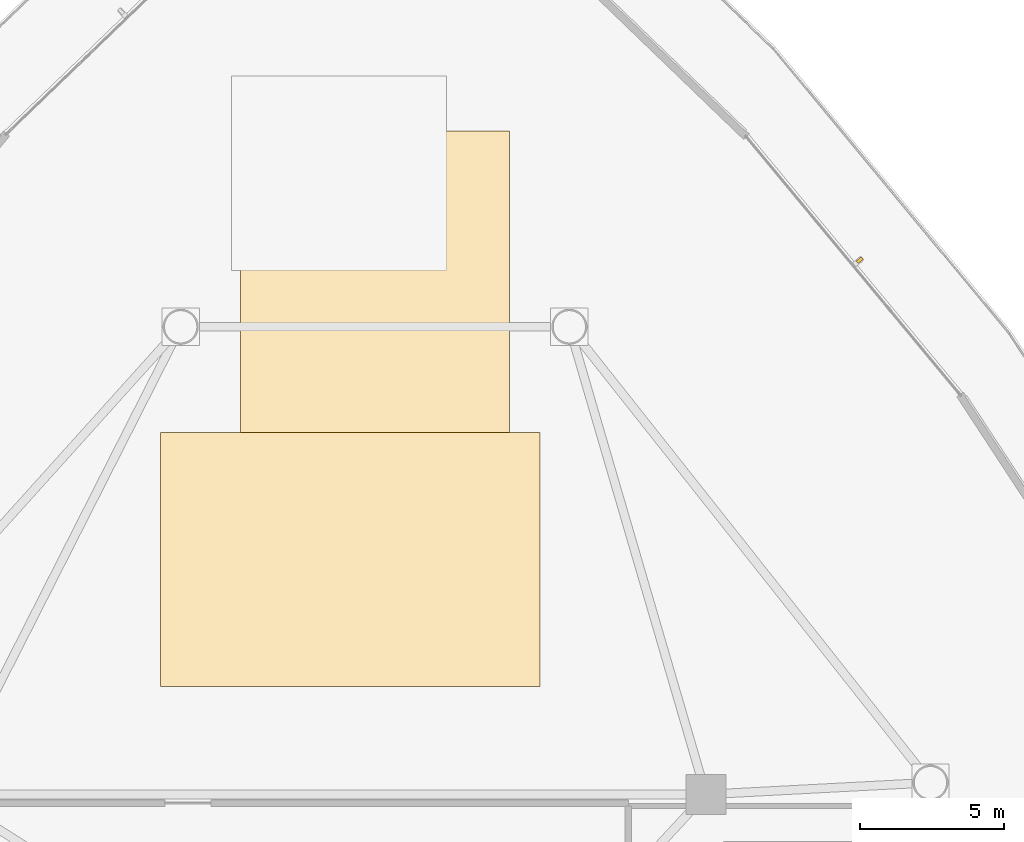
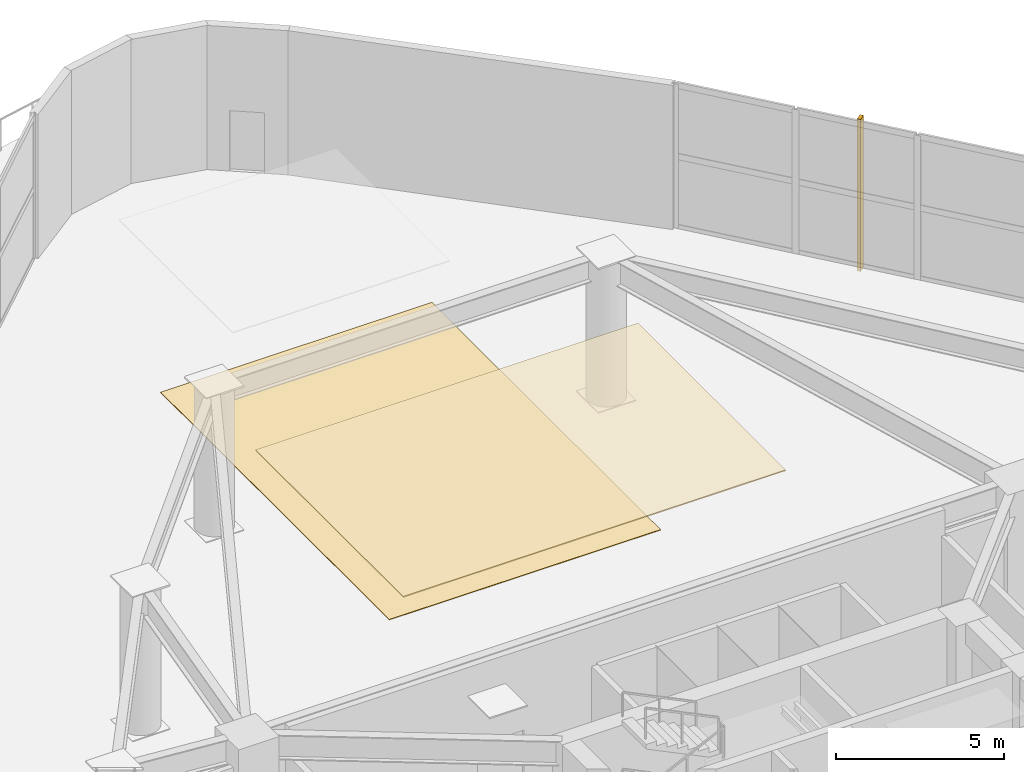
# One storey, part 23 of 26: 2 coverings, 1 shading device.
"""IFC4 building model written with IfcOpenShell, lengths in metres."""

from ifc_helpers import new_model, si_unit, direction, frame, origin, origin_2d, place, context, subcontext, project, spatial, polyline, rectangle, outline, extrude, source, transform, mapped, material, layer, layer_set, type_object, type_shapes, element, save


model = new_model("IFC4")

# Units and contexts
model_context = context("Model", 3, precision=1e-05, world=origin(), true_north=direction((0.0, 1.0)))
body_context = subcontext(model_context, "Body", "Model", "MODEL_VIEW")
ifc_project = project(units=[si_unit("LENGTHUNIT", "METRE"), si_unit("AREAUNIT", "SQUARE_METRE"), si_unit("VOLUMEUNIT", "CUBIC_METRE"), si_unit("PLANEANGLEUNIT", "RADIAN"), si_unit("MASSUNIT", "GRAM", prefix="KILO")], contexts=[model_context])

# Site, building, storey
site_placement = place(None, origin())
site = spatial("IfcSite", under=ifc_project, at=site_placement, CompositionType="ELEMENT")
building_placement = place(site_placement, origin())
building = spatial("IfcBuilding", under=site, at=building_placement, Name="Tavelor Broadcast Tower", CompositionType="ELEMENT")
storey_placement = place(building_placement, frame((0.0, 0.0, 5.800048828125)))
storey = spatial("IfcBuildingStorey", under=building, at=storey_placement, Name="L01", CompositionType="ELEMENT", Elevation=5.800048828125)

# Coverings
ifc_material_1 = material(Name="Acoustic Nylon Carpet Tile")
ifc_layer_1 = layer(ifc_material_1, 0.02001953125)
ifc_layer_set_1 = layer_set([ifc_layer_1], Name="Acoustic Nylon Carpet Tile")
covering_type_1 = type_object("IfcCoveringType", Name="Heavy-Duty Acoustic Broadcast Carpet Tile 20 mm", PredefinedType="FLOORING", material=ifc_layer_set_1)
covering_1_placement = place(storey_placement, origin())
element("IfcCovering", 1, at=covering_1_placement, inside=storey, type_object=covering_type_1, Name="L01 Broadcast Floor Finish 0018", PredefinedType="FLOORING", context=body_context, shape_type="SweptSolid", body=[
    extrude(outline(polyline([(45.326904296875, 65.8994140625), (54.674072265625, 65.8994140625), (54.674072265625, 79.552734375), (45.326904296875, 79.552734375), (45.326904296875, 65.8994140625)])), origin(), (0.0, 0.0, 1.0), 0.02001953125),
])
ifc_material_2 = material(Name="Acoustic Mineral Fibre Tile")
ifc_layer_2 = layer(ifc_material_2, 0.0400390625)
ifc_layer_set_2 = layer_set([ifc_layer_2], Name="Acoustic Mineral Fibre Tile")
covering_type_2 = type_object("IfcCoveringType", Name="Suspended Acoustic Mineral-Fibre Office Ceiling 40 mm", PredefinedType="CEILING", material=ifc_layer_set_2)
covering_2_placement = place(storey_placement, frame((0.0, 0.0, 5.2099609375)))
element("IfcCovering", 2, at=covering_2_placement, inside=storey, type_object=covering_type_2, Name="L01 Suspended Acoustic Ceiling 0047", PredefinedType="CEILING", context=body_context, shape_type="SweptSolid", body=[
    extrude(outline(polyline([(42.548095703125, 60.2587890625), (55.727783203125, 60.2587890625), (55.727783203125, 69.076904296875), (42.548095703125, 69.076904296875), (42.548095703125, 60.2587890625)])), origin(), (0.0, 0.0, 1.0), 0.0400390625),
])

# Shading device
ifc_material_3 = material(Name="Kiln-Fired Glazed Terracotta", Category="masonry")
shading_device_type = type_object("IfcShadingDeviceType", Name="Extruded Terracotta Baguette Sun-Screen 110x240", PredefinedType="JALOUSIE", material=ifc_material_3)
shared_shape = source(origin(), body_context, "Body", "SweptSolid", [
    extrude(rectangle(XDim=0.110107421875, YDim=0.239990234375, at=origin_2d()), origin(), (0.0, 0.0, 1.0), 5.5400390625),
])
type_shapes(shading_device_type, [shared_shape])
shading_device_placement = place(storey_placement, frame((66.843994140625, 75.065673828125, -0.31005859375), z_axis=(0.0, 0.0, 1.0), x_axis=(-0.638096146601, 0.769956692089, 0.0)))
element("IfcShadingDevice", 3, at=shading_device_placement, inside=storey, type_object=shading_device_type, Name="L01 Terracotta Baguette Fin 6", PredefinedType="JALOUSIE", context=body_context, shape_type="MappedRepresentation", body=[
    mapped(shared_shape, transform((0.0, 0.0, 0.0), scale=1.0)),
])

save(model, "model.ifc")
